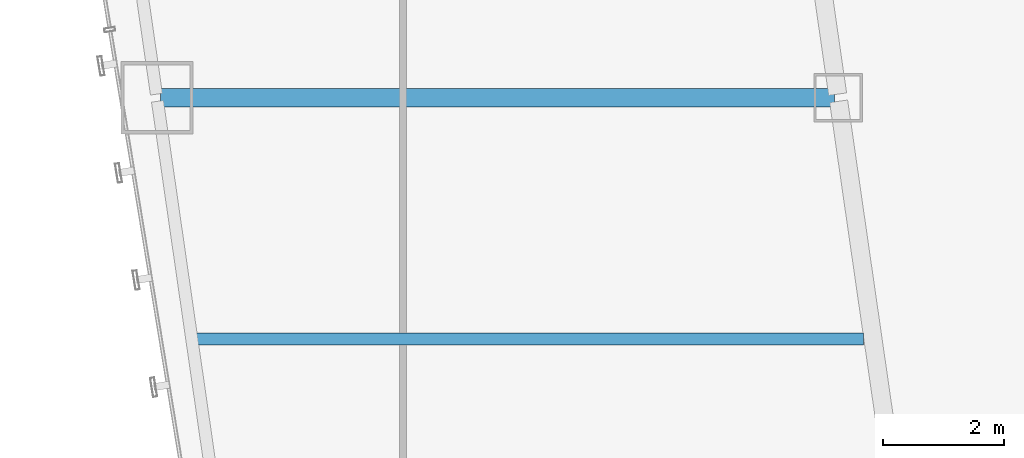
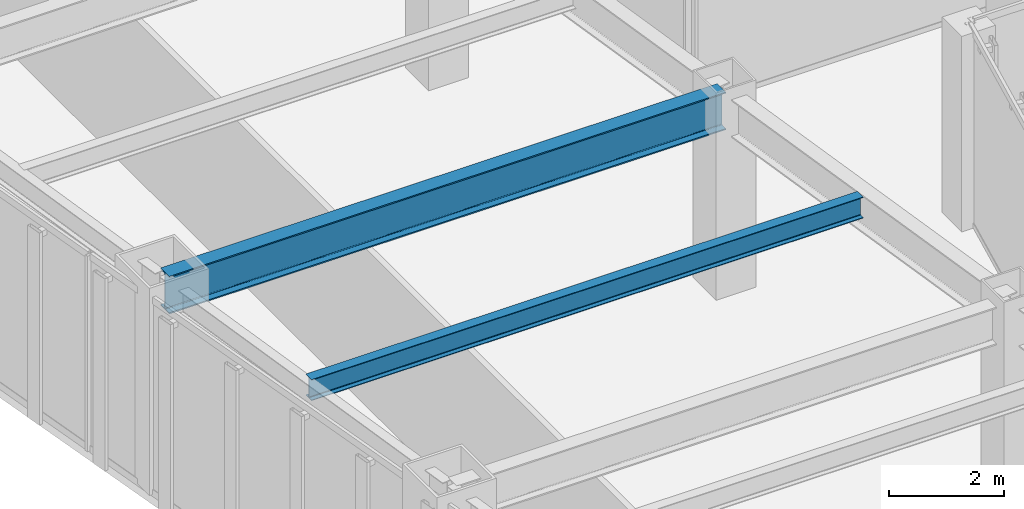
# One storey, part 6 of 47: 2 beams.
"""IFC4 building model written with IfcOpenShell, lengths in metres."""

from ifc_helpers import new_model, si_unit, direction, frame, origin, origin_2d, place, context, subcontext, project, spatial, i_section, extrude, material, material_profile, profile_set, type_object, element, save


model = new_model("IFC4")

# Units and contexts
model_context = context("Model", 3, precision=1e-05, world=origin(), true_north=direction((0.0, 1.0)))
body_context = subcontext(model_context, "Body", "Model", "MODEL_VIEW")
ifc_project = project(units=[si_unit("LENGTHUNIT", "METRE"), si_unit("AREAUNIT", "SQUARE_METRE"), si_unit("VOLUMEUNIT", "CUBIC_METRE"), si_unit("PLANEANGLEUNIT", "RADIAN"), si_unit("MASSUNIT", "GRAM", prefix="KILO")], contexts=[model_context])

# Site, building, storey
site_placement = place(None, origin())
site = spatial("IfcSite", under=ifc_project, at=site_placement, CompositionType="ELEMENT")
building_placement = place(site_placement, origin())
building = spatial("IfcBuilding", under=site, at=building_placement, Name="Saevonmaru Cultural Tower", CompositionType="ELEMENT")
storey_placement = place(building_placement, frame((0.0, 0.0, 56.0)))
storey = spatial("IfcBuildingStorey", under=building, at=storey_placement, Name="L11", CompositionType="ELEMENT", Elevation=56.0)

# Beams
ifc_material_1 = material(Name="Steel SM420", Category="steel")
ifc_material_profile_1 = material_profile(ifc_material_1, i_section(OverallWidth=0.300048828125, OverallDepth=0.800048828125, WebThickness=0.013916015625, FlangeThickness=0.02587890625, FilletRadius=0.028076171875, at=origin_2d()), Name="H-800x300x14x26")
ifc_profile_set_1 = profile_set([ifc_material_profile_1], Name="Steel SM420")
beam_type_1 = type_object("IfcBeamType", Name="BM-G-H800", PredefinedType="BEAM", material=ifc_profile_set_1)
beam_1_placement = place(storey_placement, frame((10.68798828125, 16.0, 3.75), z_axis=(1.0, 0.0, 0.0), x_axis=(0.0, 1.0, 0.0)))
element("IfcBeam", 1, at=beam_1_placement, inside=storey, type_object=beam_type_1, Name="L11 West Wing Transverse Girder 3", PredefinedType="BEAM", context=body_context, shape_type="SweptSolid", body=[
    extrude(i_section(OverallWidth=0.300048828125, OverallDepth=0.800048828125, WebThickness=0.013916015625, FlangeThickness=0.02587890625, FilletRadius=0.028076171875, at=origin_2d()), origin(), (0.0, 0.0, 1.0), 11.179931640625),
])
ifc_material_2 = material(Name="Steel SM355", Category="steel")
ifc_material_profile_2 = material_profile(ifc_material_2, i_section(OverallWidth=0.199951171875, OverallDepth=0.449951171875, WebThickness=0.009033203125, FlangeThickness=0.013916015625, FilletRadius=0.01806640625, at=origin_2d()), Name="H-450x200x9x14")
ifc_profile_set_2 = profile_set([ifc_material_profile_2], Name="Steel SM355")
beam_type_2 = type_object("IfcBeamType", Name="BM-J-H450", PredefinedType="JOIST", material=ifc_profile_set_2)
beam_2_placement = place(storey_placement, frame((11.265380859375, 12.0, 3.925048828125), z_axis=(1.0, 0.0, 0.0), x_axis=(0.0, 1.0, 0.0)))
element("IfcBeam", 2, at=beam_2_placement, inside=storey, type_object=beam_type_2, Name="L11 West Wing Floor Joist 2", PredefinedType="JOIST", context=body_context, shape_type="SweptSolid", body=[
    extrude(i_section(OverallWidth=0.199951171875, OverallDepth=0.449951171875, WebThickness=0.009033203125, FlangeThickness=0.013916015625, FilletRadius=0.01806640625, at=origin_2d()), origin(), (0.0, 0.0, 1.0), 11.08203125),
])

save(model, "model.ifc")
